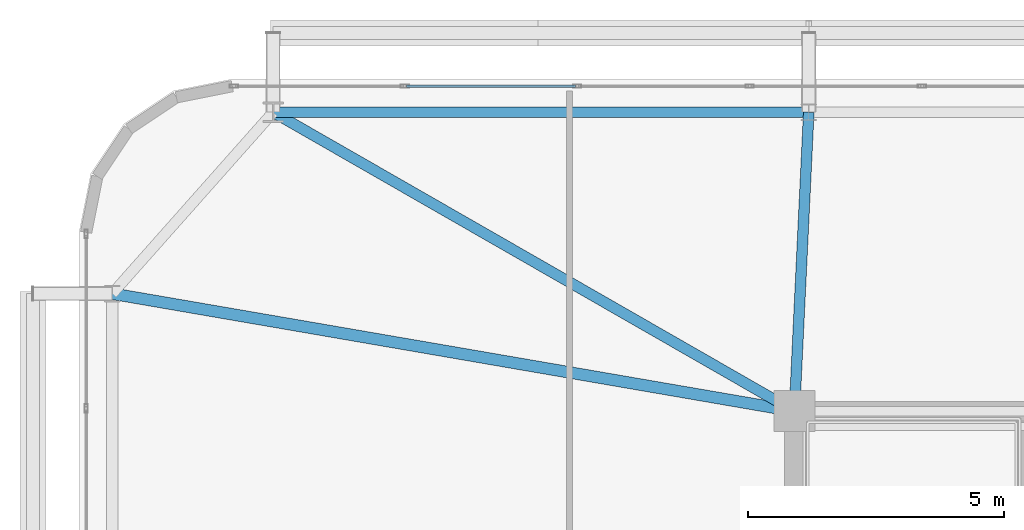
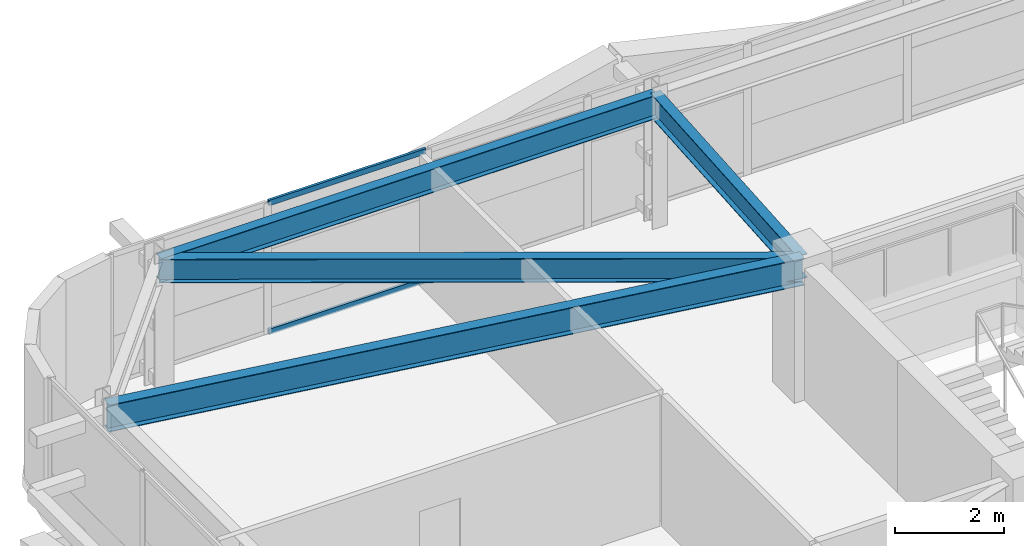
# One storey, part 34 of 59: 4 beams, 2 members, 1 element without a shape of its own.
"""IFC4 building model written with IfcOpenShell, lengths in metres."""

from ifc_helpers import new_model, si_unit, direction, frame, origin, origin_2d, place, context, subcontext, project, spatial, hollow_rectangle, i_section, extrude, source, transform, mapped, material, layer, layer_set, material_profile, profile_set, type_object, element, aggregate, save


model = new_model("IFC4")

# Units and contexts
model_context = context("Model", 3, precision=1e-05, world=origin(), true_north=direction((0.0, 1.0)))
body_context = subcontext(model_context, "Body", "Model", "MODEL_VIEW")
ifc_project = project(units=[si_unit("LENGTHUNIT", "METRE"), si_unit("AREAUNIT", "SQUARE_METRE"), si_unit("VOLUMEUNIT", "CUBIC_METRE"), si_unit("PLANEANGLEUNIT", "RADIAN"), si_unit("MASSUNIT", "GRAM", prefix="KILO")], contexts=[model_context])

# Site, building, storey
site_placement = place(None, origin())
site = spatial("IfcSite", under=ifc_project, at=site_placement, CompositionType="ELEMENT")
building_placement = place(site_placement, origin())
building = spatial("IfcBuilding", under=site, at=building_placement, Name="Taldren Reach Tower", CompositionType="ELEMENT")
storey_placement = place(building_placement, frame((0.0, 0.0, 29.39990234375)))
storey = spatial("IfcBuildingStorey", under=building, at=storey_placement, Name="L08", CompositionType="ELEMENT", Elevation=29.39990234375)

# Beams
ifc_material_1 = material(Name="Steel Gr 350 (350PLUS)", Category="steel")
ifc_material_profile_1 = material_profile(ifc_material_1, i_section(OverallWidth=0.208984375, OverallDepth=0.528076171875, WebThickness=0.009521484375, FlangeThickness=0.01318359375, at=origin_2d()), Name="530UB82.0")
ifc_profile_set_1 = profile_set([ifc_material_profile_1], Name="Steel Gr 350 (350PLUS)")
beam_type_1 = type_object("IfcBeamType", Name="SP-UB530B", PredefinedType="SPANDREL", material=ifc_profile_set_1)
shared_shape_1 = source(origin(), body_context, "Body", "SweptSolid", [
    extrude(i_section(OverallWidth=0.208984375, OverallDepth=0.528076171875, WebThickness=0.009521484375, FlangeThickness=0.01318359375, at=origin_2d()), origin(), (0.0, 0.0, 1.0), 10.47998046875),
])
beam_1_placement = place(storey_placement, frame((19.280029296875, 37.85009765625, 2.666015625), z_axis=(-1.0, 0.0, 0.0), x_axis=(0.0, -1.0, 0.0)))
element("IfcBeam", 1, at=beam_1_placement, inside=storey, type_object=beam_type_1, Name="Perimeter spandrel B1 N2-N1 L08", PredefinedType="SPANDREL", context=body_context, shape_type="MappedRepresentation", body=[
    mapped(shared_shape_1, transform((0.0, 0.0, 0.0), scale=1.0)),
])
ifc_material_profile_2 = material_profile(ifc_material_1, i_section(OverallWidth=0.22802734375, OverallDepth=0.60205078125, WebThickness=0.010498046875, FlangeThickness=0.014892578125, at=origin_2d()), Name="610UB101")
ifc_profile_set_2 = profile_set([ifc_material_profile_2], Name="Steel Gr 350 (350PLUS)")
beam_type_2 = type_object("IfcBeamType", Name="BM-UB610B", PredefinedType="BEAM", material=ifc_profile_set_2)
shared_shape_2 = source(origin(), body_context, "Body", "SweptSolid", [
    extrude(i_section(OverallWidth=0.22802734375, OverallDepth=0.60205078125, WebThickness=0.010498046875, FlangeThickness=0.014892578125, at=origin_2d()), origin(), (0.0, 0.0, 1.0), 13.546875),
])
beam_2_placement = place(storey_placement, frame((19.0, 32.0, 2.629150390625), z_axis=(-0.985481022998, 0.169785609847, 0.0), x_axis=(-0.169785609847, -0.985481022998, 0.0)))
element("IfcBeam", 2, at=beam_2_placement, inside=storey, type_object=beam_type_2, Name="Primary floor girder B1-W3 L08", PredefinedType="BEAM", context=body_context, shape_type="MappedRepresentation", body=[
    mapped(shared_shape_2, transform((0.0, 0.0, 0.0), scale=1.0)),
])
ifc_material_profile_3 = material_profile(ifc_material_1, i_section(OverallWidth=0.208984375, OverallDepth=0.532958984375, WebThickness=0.01025390625, FlangeThickness=0.015625, at=origin_2d()), Name="530UB92.4")
ifc_profile_set_3 = profile_set([ifc_material_profile_3], Name="Steel Gr 350 (350PLUS)")
beam_type_3 = type_object("IfcBeamType", Name="BM-UB530A", PredefinedType="BEAM", material=ifc_profile_set_3)
shared_shape_3 = source(origin(), body_context, "Body", "SweptSolid", [
    extrude(i_section(OverallWidth=0.208984375, OverallDepth=0.532958984375, WebThickness=0.01025390625, FlangeThickness=0.015625, at=origin_2d()), origin(), (0.0, 0.0, 1.0), 11.758544921875),
])
beam_3_placement = place(storey_placement, frame((19.0, 32.0, 2.66357421875), z_axis=(-0.867452414141, 0.497520159593, 0.0), x_axis=(-0.497520159593, -0.867452414141, 0.0)))
element("IfcBeam", 3, at=beam_3_placement, inside=storey, type_object=beam_type_3, Name="Primary floor girder B1-N1 L08", PredefinedType="BEAM", context=body_context, shape_type="MappedRepresentation", body=[
    mapped(shared_shape_3, transform((0.0, 0.0, 0.0), scale=1.0)),
])
shared_shape_4 = source(origin(), body_context, "Body", "SweptSolid", [
    extrude(i_section(OverallWidth=0.208984375, OverallDepth=0.532958984375, WebThickness=0.01025390625, FlangeThickness=0.015625, at=origin_2d()), origin(), (0.0, 0.0, 1.0), 5.856689453125),
])
beam_4_placement = place(storey_placement, frame((19.0, 32.0, 2.66357421875), z_axis=(0.047812711672, 0.998856318297, 0.0), x_axis=(-0.998856318297, 0.047812711672, 0.0)))
element("IfcBeam", 4, at=beam_4_placement, inside=storey, type_object=beam_type_3, Name="Primary floor girder B1-N2 L08", PredefinedType="BEAM", context=body_context, shape_type="MappedRepresentation", body=[
    mapped(shared_shape_4, transform((0.0, 0.0, 0.0), scale=1.0)),
])

# Curtain wall, members
ifc_material_2 = material(Name="Aluminium and Low-E Glass Unitised System", Category="aluminium")
ifc_layer = layer(ifc_material_2, 0.159912109375)
ifc_layer_set = layer_set([ifc_layer], Name="Aluminium and Low-E Glass Unitised System")
curtain_wall_type = type_object("IfcCurtainWallType", Name="CW-SYS-2", PredefinedType="NOTDEFINED", material=ifc_layer_set)
curtain_wall_placement = place(storey_placement, origin())
curtain_wall = element("IfcCurtainWall", 5, at=curtain_wall_placement, inside=storey, type_object=curtain_wall_type, Name="Unitised curtain wall CW-L08-N", PredefinedType="NOTDEFINED")
ifc_material_3 = material(Name="Anodised Aluminium 6063-T6", Category="aluminium")
ifc_material_profile_4 = material_profile(ifc_material_3, hollow_rectangle(XDim=0.054931640625, YDim=0.1201171875, WallThickness=0.0029296875, at=origin_2d()), Name="ALU-120x55x3RHS")
ifc_profile_set_4 = profile_set([ifc_material_profile_4], Name="Anodised Aluminium 6063-T6")
member_type = type_object("IfcMemberType", Name="CW-TRN-135", PredefinedType="USERDEFINED", material=ifc_profile_set_4)
shared_shape_5 = source(origin(), body_context, "Body", "SweptSolid", [
    extrude(hollow_rectangle(XDim=0.054931640625, YDim=0.1201171875, WallThickness=0.0029296875, at=origin_2d()), origin(), (0.0, 0.0, 1.0), 3.31005859375),
])
member_1_placement = place(storey_placement, frame((14.717529296875, 38.360107421875, 0.027587890625), z_axis=(-1.0, 0.0, 0.0), x_axis=(0.0, -1.0, 0.0)))
member_1 = element("IfcMember", 6, at=member_1_placement, type_object=member_type, Name="CW-2 transom 15.1", ObjectType="TRANSOM", PredefinedType="USERDEFINED", context=body_context, shape_type="MappedRepresentation", body=[
    mapped(shared_shape_5, transform((0.0, 0.0, 0.0), scale=1.0)),
])
member_2_placement = place(storey_placement, frame((14.717529296875, 38.360107421875, 2.902587890625), z_axis=(-1.0, 0.0, 0.0), x_axis=(0.0, -1.0, 0.0)))
member_2 = element("IfcMember", 7, at=member_2_placement, type_object=member_type, Name="CW-2 transom 15.2", ObjectType="TRANSOM", PredefinedType="USERDEFINED", context=body_context, shape_type="MappedRepresentation", body=[
    mapped(shared_shape_5, transform((0.0, 0.0, 0.0), scale=1.0)),
])
aggregate(curtain_wall, [member_1, member_2])

save(model, "model.ifc")
